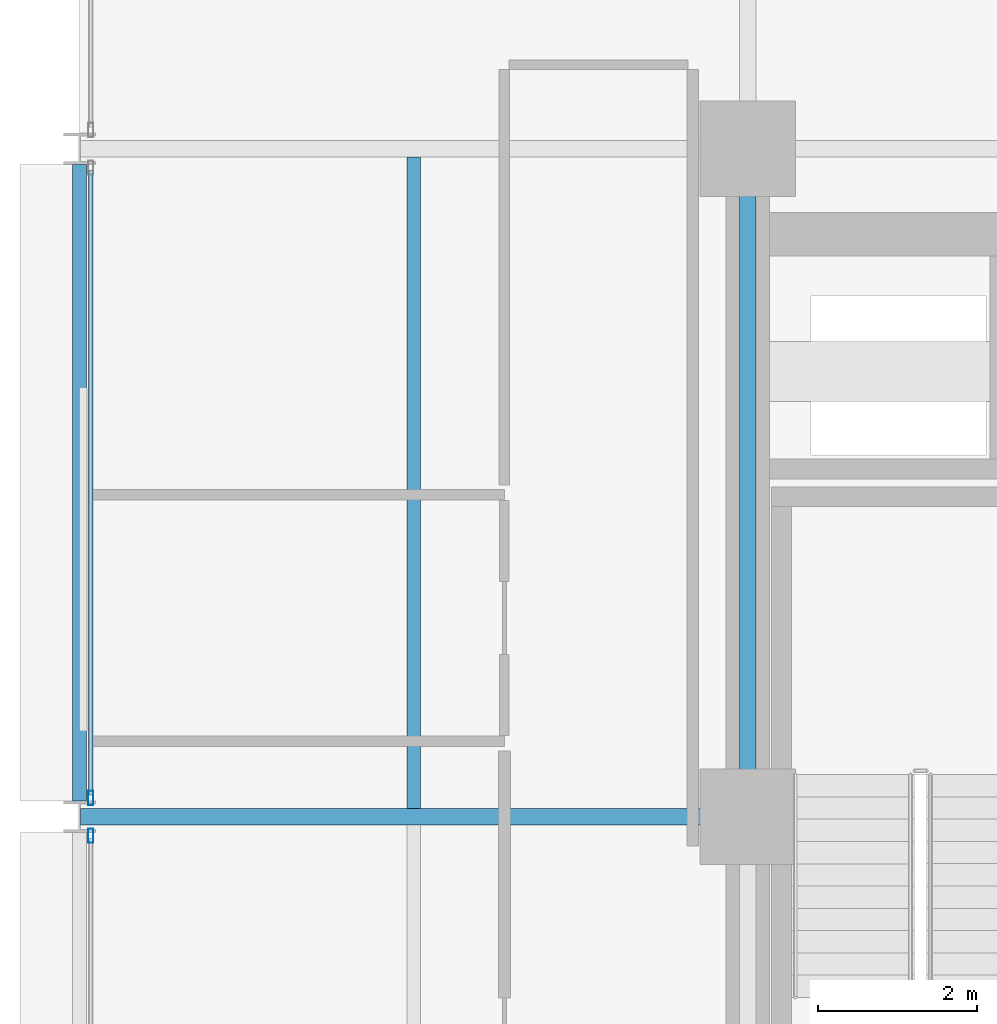
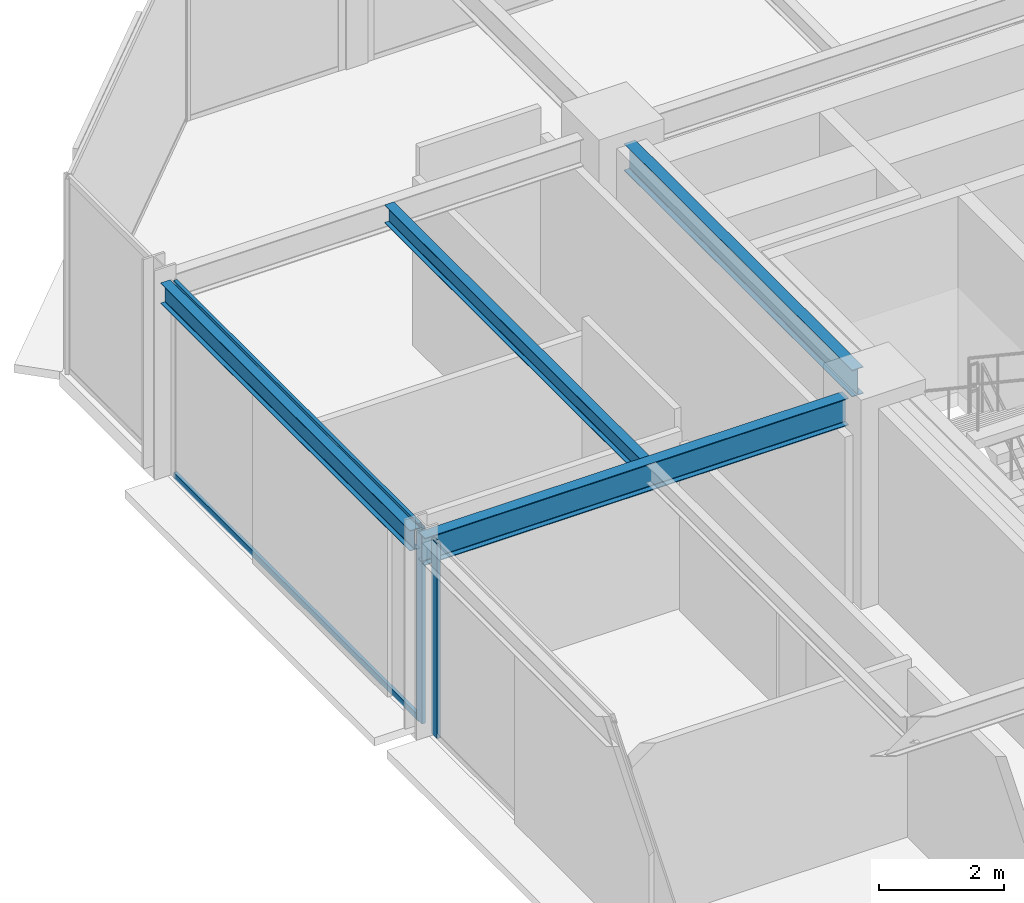
# One storey, part 16 of 30: 4 beams, 4 members, 2 elements without a shape of their own.
"""IFC4 building model written with IfcOpenShell, lengths in metres."""

from ifc_helpers import new_model, si_unit, direction, frame, origin, origin_2d, place, context, subcontext, project, spatial, hollow_rectangle, i_section, extrude, material, layer, layer_set, material_profile, profile_set, type_object, element, aggregate, save


model = new_model("IFC4")

# Units and contexts
model_context = context("Model", 3, precision=1e-05, world=origin(), true_north=direction((0.0, 1.0)))
body_context = subcontext(model_context, "Body", "Model", "MODEL_VIEW")
ifc_project = project(units=[si_unit("LENGTHUNIT", "METRE"), si_unit("AREAUNIT", "SQUARE_METRE"), si_unit("VOLUMEUNIT", "CUBIC_METRE"), si_unit("PLANEANGLEUNIT", "RADIAN"), si_unit("MASSUNIT", "GRAM", prefix="KILO")], contexts=[model_context])

# Site, building, storey
site_placement = place(None, origin())
site = spatial("IfcSite", under=ifc_project, at=site_placement, CompositionType="ELEMENT")
building_placement = place(site_placement, origin())
building = spatial("IfcBuilding", under=site, at=building_placement, Name="Nerrivon Quay Data Exchange", CompositionType="ELEMENT")
storey_placement = place(building_placement, frame((0.0, 0.0, 129.5)))
storey = spatial("IfcBuildingStorey", under=building, at=storey_placement, Name="L30", CompositionType="ELEMENT", Elevation=129.5)

# Beams
ifc_material_1 = material(Name="Steel Grade 350", Category="steel")
ifc_material_profile_1 = material_profile(ifc_material_1, i_section(OverallWidth=0.208984375, OverallDepth=0.532958984375, WebThickness=0.01025390625, FlangeThickness=0.015625, FilletRadius=0.013916015625, at=origin_2d()), Name="530UB92.4")
ifc_profile_set_1 = profile_set([ifc_material_profile_1], Name="Steel Grade 350")
beam_type_1 = type_object("IfcBeamType", Name="BM-G3-530UB92", PredefinedType="BEAM", material=ifc_profile_set_1)
beam_1_placement = place(storey_placement, frame((0.012451171875, 33.60009765625, 3.55859375), z_axis=(1.0, 0.0, 0.0), x_axis=(0.0, 1.0, 0.0)))
element("IfcBeam", 1, at=beam_1_placement, inside=storey, type_object=beam_type_1, Name="L30 EW Girder Y=33.6 (0.0..8.4)", PredefinedType="BEAM", context=body_context, shape_type="SweptSolid", body=[
    extrude(i_section(OverallWidth=0.208984375, OverallDepth=0.532958984375, WebThickness=0.01025390625, FlangeThickness=0.015625, FilletRadius=0.013916015625, at=origin_2d()), origin(), (0.0, 0.0, 1.0), 7.84765625),
])
ifc_material_profile_2 = material_profile(ifc_material_1, i_section(OverallWidth=0.208984375, OverallDepth=0.528076171875, WebThickness=0.009521484375, FlangeThickness=0.01318359375, FilletRadius=0.013916015625, at=origin_2d()), Name="530UB82.0")
ifc_profile_set_2 = profile_set([ifc_material_profile_2], Name="Steel Grade 350")
beam_type_2 = type_object("IfcBeamType", Name="BM-G4-530UB82", PredefinedType="BEAM", material=ifc_profile_set_2)
beam_2_placement = place(storey_placement, frame((8.39990234375, 34.139892578125, 3.56103515625), z_axis=(0.0, 1.0, 0.0), x_axis=(-1.0, 0.0, 0.0)))
element("IfcBeam", 2, at=beam_2_placement, inside=storey, type_object=beam_type_2, Name="L30 NS Girder X=8.4 (33.6..42.0)", PredefinedType="BEAM", context=body_context, shape_type="SweptSolid", body=[
    extrude(i_section(OverallWidth=0.208984375, OverallDepth=0.528076171875, WebThickness=0.009521484375, FlangeThickness=0.01318359375, FilletRadius=0.013916015625, at=origin_2d()), origin(), (0.0, 0.0, 1.0), 7.320068359375),
])
ifc_material_profile_3 = material_profile(ifc_material_1, i_section(OverallWidth=0.1708984375, OverallDepth=0.35595703125, WebThickness=0.00732421875, FlangeThickness=0.011474609375, FilletRadius=0.011474609375, at=origin_2d()), Name="360UB50.7")
ifc_profile_set_3 = profile_set([ifc_material_profile_3], Name="Steel Grade 350")
beam_type_3 = type_object("IfcBeamType", Name="BM-J4-360UB51", PredefinedType="JOIST", material=ifc_profile_set_3)
beam_3_placement = place(storey_placement, frame((4.199951171875, 33.70458984375, 3.64697265625), z_axis=(0.0, 1.0, 0.0), x_axis=(-1.0, 0.0, 0.0)))
element("IfcBeam", 3, at=beam_3_placement, inside=storey, type_object=beam_type_3, Name="L30 Secondary Joist X=4.2 (33.6..42.0)", PredefinedType="JOIST", context=body_context, shape_type="SweptSolid", body=[
    extrude(i_section(OverallWidth=0.1708984375, OverallDepth=0.35595703125, WebThickness=0.00732421875, FlangeThickness=0.011474609375, FilletRadius=0.011474609375, at=origin_2d()), origin(), (0.0, 0.0, 1.0), 8.19091796875),
])
ifc_material_profile_4 = material_profile(ifc_material_1, i_section(OverallWidth=0.177978515625, OverallDepth=0.403076171875, WebThickness=0.007568359375, FlangeThickness=0.010986328125, FilletRadius=0.011474609375, at=origin_2d()), Name="410UB53.7")
ifc_profile_set_4 = profile_set([ifc_material_profile_4], Name="Steel Grade 350")
beam_type_4 = type_object("IfcBeamType", Name="BM-SP2-410UB54", PredefinedType="SPANDREL", material=ifc_profile_set_4)
beam_4_placement = place(storey_placement, frame((0.0, 33.800048828125, 3.62353515625), z_axis=(0.0, 1.0, 0.0), x_axis=(-1.0, 0.0, 0.0)))
element("IfcBeam", 4, at=beam_4_placement, inside=storey, type_object=beam_type_4, Name="L30 NS Girder X=0.0 (33.6..42.0)", PredefinedType="SPANDREL", context=body_context, shape_type="SweptSolid", body=[
    extrude(i_section(OverallWidth=0.177978515625, OverallDepth=0.403076171875, WebThickness=0.007568359375, FlangeThickness=0.010986328125, FilletRadius=0.011474609375, at=origin_2d()), origin(), (0.0, 0.0, 1.0), 8.0),
])

# Curtain wall, member
ifc_material_2 = material(Name="Anodised aluminium 6063-T6", Category="aluminium")
ifc_layer = layer(ifc_material_2, 0.2099609375)
ifc_layer_set = layer_set([ifc_layer], Name="Anodised aluminium 6063-T6")
curtain_wall_type = type_object("IfcCurtainWallType", Name="CW-SYS-02", PredefinedType="NOTDEFINED", material=ifc_layer_set)
curtain_wall_1_placement = place(storey_placement, origin())
curtain_wall_1 = element("IfcCurtainWall", 5, at=curtain_wall_1_placement, inside=storey, type_object=curtain_wall_type, Name="L30 Unitised Curtain Wall 14", PredefinedType="NOTDEFINED")
ifc_material_profile_5 = material_profile(ifc_material_2, hollow_rectangle(XDim=0.06494140625, YDim=0.179931640625, WallThickness=0.00341796875, at=origin_2d()), Name="ALU-MULL-180x65")
ifc_profile_set_5 = profile_set([ifc_material_profile_5], Name="Anodised aluminium 6063-T6")
member_type_1 = type_object("IfcMemberType", Name="CWM-180x65", PredefinedType="MULLION", material=ifc_profile_set_5)
member_1_placement = place(storey_placement, frame((0.139892578125, 33.362548828125, 0.0), z_axis=(0.0, 0.0, 1.0), x_axis=(-1.0, 0.0, 0.0)))
member_1 = element("IfcMember", 6, at=member_1_placement, type_object=member_type_1, Name="CW02 mullion 2", PredefinedType="MULLION", context=body_context, shape_type="SweptSolid", body=[
    extrude(hollow_rectangle(XDim=0.06494140625, YDim=0.179931640625, WallThickness=0.00341796875, at=origin_2d()), origin(), (0.0, 0.0, 1.0), 3.824951171875),
])
aggregate(curtain_wall_1, [member_1])

# Curtain wall, members
curtain_wall_2_placement = place(storey_placement, origin())
curtain_wall_2 = element("IfcCurtainWall", 7, at=curtain_wall_2_placement, inside=storey, type_object=curtain_wall_type, Name="L30 Unitised Curtain Wall 15", PredefinedType="NOTDEFINED")
member_2_placement = place(storey_placement, frame((0.139892578125, 33.83740234375, 0.0), z_axis=(0.0, 0.0, 1.0), x_axis=(-1.0, 0.0, 0.0)))
member_2 = element("IfcMember", 8, at=member_2_placement, type_object=member_type_1, Name="CW02 mullion 1", PredefinedType="MULLION", context=body_context, shape_type="SweptSolid", body=[
    extrude(hollow_rectangle(XDim=0.06494140625, YDim=0.179931640625, WallThickness=0.00341796875, at=origin_2d()), origin(), (0.0, 0.0, 1.0), 3.824951171875),
])
ifc_material_profile_6 = material_profile(ifc_material_2, hollow_rectangle(XDim=0.06005859375, YDim=0.1201171875, WallThickness=0.003173828125, at=origin_2d()), Name="ALU-TRAN-120x60")
ifc_profile_set_6 = profile_set([ifc_material_profile_6], Name="Anodised aluminium 6063-T6")
member_type_2 = type_object("IfcMemberType", Name="CWT-120x60", PredefinedType="USERDEFINED", material=ifc_profile_set_6)
member_3_placement = place(storey_placement, frame((0.139892578125, 33.875, 0.032470703125), z_axis=(0.0, 1.0, 0.0), x_axis=(-1.0, 0.0, 0.0)))
member_3 = element("IfcMember", 9, at=member_3_placement, type_object=member_type_2, Name="CW02 transom 1.1", ObjectType="TRANSOM", PredefinedType="USERDEFINED", context=body_context, shape_type="SweptSolid", body=[
    extrude(hollow_rectangle(XDim=0.06005859375, YDim=0.1201171875, WallThickness=0.003173828125, at=origin_2d()), origin(), (0.0, 0.0, 1.0), 7.85009765625),
])
member_4_placement = place(storey_placement, frame((0.139892578125, 33.875, 3.79248046875), z_axis=(0.0, 1.0, 0.0), x_axis=(-1.0, 0.0, 0.0)))
member_4 = element("IfcMember", 10, at=member_4_placement, type_object=member_type_2, Name="CW02 transom 1.2", ObjectType="TRANSOM", PredefinedType="USERDEFINED", context=body_context, shape_type="SweptSolid", body=[
    extrude(hollow_rectangle(XDim=0.06005859375, YDim=0.1201171875, WallThickness=0.003173828125, at=origin_2d()), origin(), (0.0, 0.0, 1.0), 7.85009765625),
])
aggregate(curtain_wall_2, [member_2, member_3, member_4])

save(model, "model.ifc")
